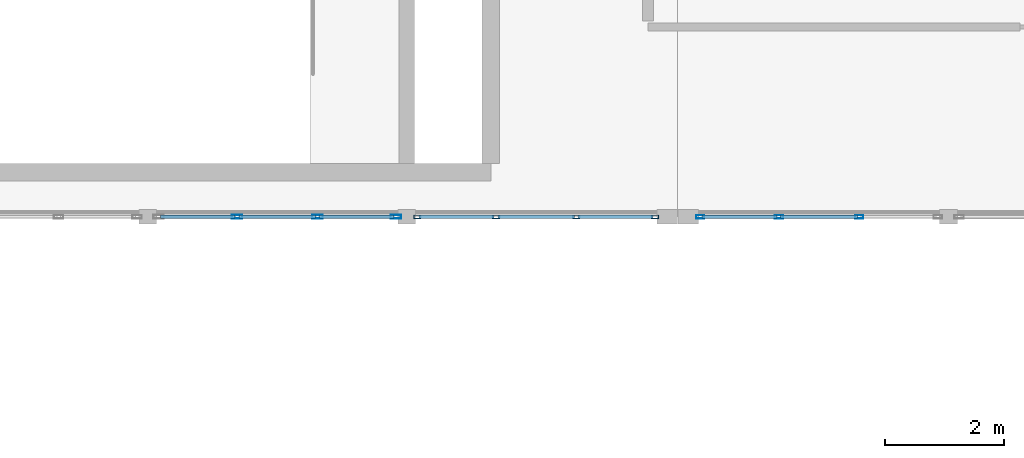
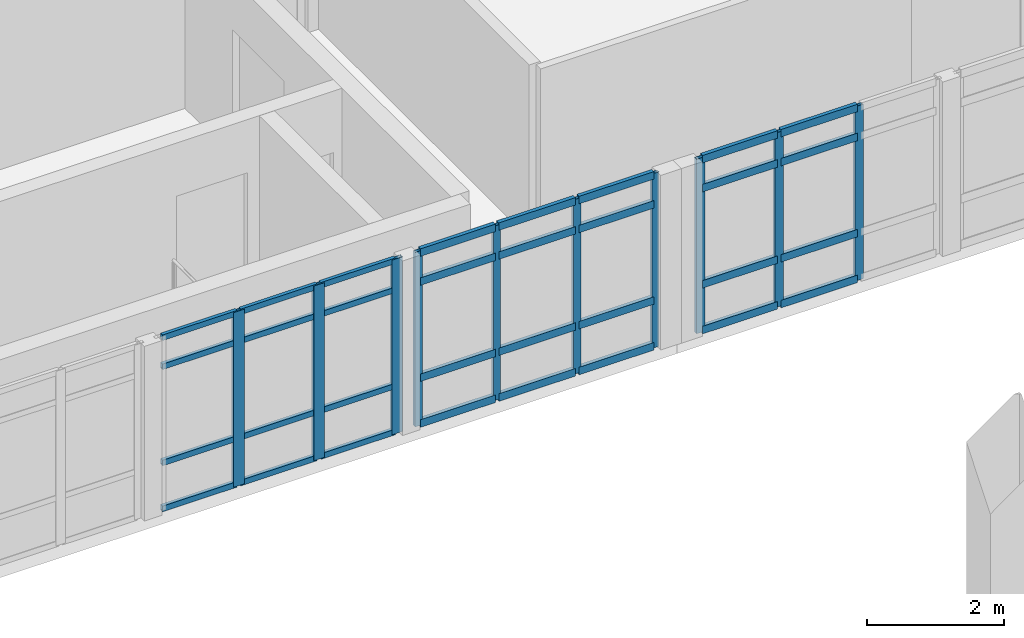
# One storey, part 8 of 37: 42 members, 3 elements without a shape of their own.
"""IFC4 building model written with IfcOpenShell, lengths in metres."""

from ifc_helpers import new_model, si_unit, direction, frame, origin, origin_2d, place, context, subcontext, project, spatial, hollow_rectangle, extrude, material, layer, layer_set, material_profile, profile_set, type_object, element, aggregate, save


model = new_model("IFC4")

# Units and contexts
model_context = context("Model", 3, precision=1e-05, world=origin(), true_north=direction((0.0, 1.0)))
body_context = subcontext(model_context, "Body", "Model", "MODEL_VIEW")
ifc_project = project(units=[si_unit("LENGTHUNIT", "METRE"), si_unit("AREAUNIT", "SQUARE_METRE"), si_unit("VOLUMEUNIT", "CUBIC_METRE"), si_unit("PLANEANGLEUNIT", "RADIAN"), si_unit("MASSUNIT", "GRAM", prefix="KILO")], contexts=[model_context])

# Site, building, storey
site_placement = place(None, origin())
site = spatial("IfcSite", under=ifc_project, at=site_placement, CompositionType="ELEMENT")
building_placement = place(site_placement, origin())
building = spatial("IfcBuilding", under=site, at=building_placement, Name="Fikremerkos Civic Library", CompositionType="ELEMENT")
storey_placement = place(building_placement, frame((0.0, 0.0, 23.39990234375)))
storey = spatial("IfcBuildingStorey", under=building, at=storey_placement, Name="L05", CompositionType="ELEMENT", Elevation=23.39990234375)

# Curtain wall, members
ifc_material = material(Name="Anodized aluminium Frame", Category="aluminium")
ifc_layer_1 = layer(ifc_material, 0.159912109375, Name="Anodized aluminium Frame")
ifc_layer_set_1 = layer_set([ifc_layer_1], Name="Anodized aluminium Frame")
curtain_wall_type_1 = type_object("IfcCurtainWallType", Name="Unitised curtain wall CW-05 3800x4100", PredefinedType="USERDEFINED", material=ifc_layer_set_1)
curtain_wall_1_placement = place(storey_placement, origin())
curtain_wall_1 = element("IfcCurtainWall", 1, at=curtain_wall_1_placement, inside=storey, type_object=curtain_wall_type_1, Name="Unitised curtain wall CW-05 L05 #293", ObjectType="UNITISED CURTAIN WALL", PredefinedType="USERDEFINED")
ifc_material_profile_1 = material_profile(ifc_material, hollow_rectangle(XDim=0.06494140625, YDim=0.179931640625, WallThickness=0.00439453125, at=origin_2d()), Name="ALU 180x65x4.5")
ifc_profile_set_1 = profile_set([ifc_material_profile_1], Name="Anodized aluminium Frame")
member_type_1 = type_object("IfcMemberType", Name="Curtain mullion CWM-01 ALU 180x65x4.5", PredefinedType="MULLION", material=ifc_profile_set_1)
member_1_placement = place(storey_placement, frame((54.9501953125, 21.60009765625, 0.0), z_axis=(0.0, 0.0, 1.0), x_axis=(0.0, -1.0, 0.0)))
member_1 = element("IfcMember", 2, at=member_1_placement, type_object=member_type_1, Name="CW-05 mullion 1", PredefinedType="MULLION", context=body_context, shape_type="SweptSolid", body=[
    extrude(hollow_rectangle(XDim=0.06494140625, YDim=0.179931640625, WallThickness=0.00439453125, at=origin_2d()), origin(), (0.0, 0.0, 1.0), 3.1201171875),
])
member_2_placement = place(storey_placement, frame((53.62744140625, 21.60009765625, 0.0), z_axis=(0.0, 0.0, 1.0), x_axis=(0.0, -1.0, 0.0)))
member_2 = element("IfcMember", 3, at=member_2_placement, type_object=member_type_1, Name="CW-05 mullion 2", PredefinedType="MULLION", context=body_context, shape_type="SweptSolid", body=[
    extrude(hollow_rectangle(XDim=0.06494140625, YDim=0.179931640625, WallThickness=0.00439453125, at=origin_2d()), origin(), (0.0, 0.0, 1.0), 3.1201171875),
])
member_3_placement = place(storey_placement, frame((52.2724609375, 21.60009765625, 0.0), z_axis=(0.0, 0.0, 1.0), x_axis=(0.0, -1.0, 0.0)))
member_3 = element("IfcMember", 4, at=member_3_placement, type_object=member_type_1, Name="CW-05 mullion 3", PredefinedType="MULLION", context=body_context, shape_type="SweptSolid", body=[
    extrude(hollow_rectangle(XDim=0.06494140625, YDim=0.179931640625, WallThickness=0.00439453125, at=origin_2d()), origin(), (0.0, 0.0, 1.0), 3.1201171875),
])

ifc_layer_2 = layer(ifc_material, 0.159912109375, Name="Anodized aluminium Frame")
ifc_layer_set_2 = layer_set([ifc_layer_2], Name="Anodized aluminium Frame")
curtain_wall_type_2 = type_object("IfcCurtainWallType", Name="Unitised curtain wall CW-03 4100x3600", PredefinedType="USERDEFINED", material=ifc_layer_set_2)
curtain_wall_2_placement = place(storey_placement, origin())
curtain_wall_2 = element("IfcCurtainWall", 5, at=curtain_wall_2_placement, inside=storey, type_object=curtain_wall_type_2, Name="Unitised curtain wall CW-03 L05 #291", ObjectType="UNITISED CURTAIN WALL", PredefinedType="USERDEFINED")
ifc_material_profile_2 = material_profile(ifc_material, hollow_rectangle(XDim=0.06005859375, YDim=0.139892578125, WallThickness=0.00390625, at=origin_2d()), Name="ALU 140x60x4")
ifc_profile_set_2 = profile_set([ifc_material_profile_2], Name="Anodized aluminium Frame")
member_type_2 = type_object("IfcMemberType", Name="Curtain mullion CWM-03 ALU 140x60x4", PredefinedType="MULLION", material=ifc_profile_set_2)
member_4_placement = place(storey_placement, frame((62.76220703125, 21.60009765625, 0.0), z_axis=(0.0, 0.0, 1.0), x_axis=(0.0, -1.0, 0.0)))
member_4 = element("IfcMember", 6, at=member_4_placement, type_object=member_type_2, Name="CW-03 mullion 2", PredefinedType="MULLION", context=body_context, shape_type="SweptSolid", body=[
    extrude(hollow_rectangle(XDim=0.06005859375, YDim=0.139892578125, WallThickness=0.00390625, at=origin_2d()), origin(), (0.0, 0.0, 1.0), 3.1201171875),
])
member_5_placement = place(storey_placement, frame((61.4072265625, 21.60009765625, 0.0), z_axis=(0.0, 0.0, 1.0), x_axis=(0.0, -1.0, 0.0)))
member_5 = element("IfcMember", 7, at=member_5_placement, type_object=member_type_2, Name="CW-03 mullion 3", PredefinedType="MULLION", context=body_context, shape_type="SweptSolid", body=[
    extrude(hollow_rectangle(XDim=0.06005859375, YDim=0.139892578125, WallThickness=0.00390625, at=origin_2d()), origin(), (0.0, 0.0, 1.0), 3.1201171875),
])
member_6_placement = place(storey_placement, frame((60.08203125, 21.60009765625, 0.0), z_axis=(0.0, 0.0, 1.0), x_axis=(0.0, -1.0, 0.0)))
member_6 = element("IfcMember", 8, at=member_6_placement, type_object=member_type_2, Name="CW-03 mullion 4", PredefinedType="MULLION", context=body_context, shape_type="SweptSolid", body=[
    extrude(hollow_rectangle(XDim=0.06005859375, YDim=0.139892578125, WallThickness=0.00390625, at=origin_2d()), origin(), (0.0, 0.0, 1.0), 3.1201171875),
])

ifc_layer_3 = layer(ifc_material, 0.159912109375, Name="Anodized aluminium Frame")
ifc_layer_set_3 = layer_set([ifc_layer_3], Name="Anodized aluminium Frame")
curtain_wall_type_3 = type_object("IfcCurtainWallType", Name="Unitised curtain wall CW-04 3400x3600", PredefinedType="USERDEFINED", material=ifc_layer_set_3)
curtain_wall_3_placement = place(storey_placement, origin())
curtain_wall_3 = element("IfcCurtainWall", 9, at=curtain_wall_3_placement, inside=storey, type_object=curtain_wall_type_3, Name="Unitised curtain wall CW-04 L05 #292", ObjectType="UNITISED CURTAIN WALL", PredefinedType="USERDEFINED")
ifc_material_profile_3 = material_profile(ifc_material, hollow_rectangle(XDim=0.06005859375, YDim=0.1201171875, WallThickness=0.00390625, at=origin_2d()), Name="ALU 120x60x4")
ifc_profile_set_3 = profile_set([ifc_material_profile_3], Name="Anodized aluminium Frame")
member_type_3 = type_object("IfcMemberType", Name="Curtain mullion CWM-04 ALU 120x60x4", PredefinedType="MULLION", material=ifc_profile_set_3)
member_7_placement = place(storey_placement, frame((59.318115234375, 21.60009765625, 0.0), z_axis=(0.0, 0.0, 1.0), x_axis=(0.0, -1.0, 0.0)))
member_7 = element("IfcMember", 10, at=member_7_placement, type_object=member_type_3, Name="CW-04 mullion 1", PredefinedType="MULLION", context=body_context, shape_type="SweptSolid", body=[
    extrude(hollow_rectangle(XDim=0.06005859375, YDim=0.1201171875, WallThickness=0.00390625, at=origin_2d()), origin(), (0.0, 0.0, 1.0), 3.1201171875),
])
member_8_placement = place(storey_placement, frame((57.992919921875, 21.60009765625, 0.0), z_axis=(0.0, 0.0, 1.0), x_axis=(0.0, -1.0, 0.0)))
member_8 = element("IfcMember", 11, at=member_8_placement, type_object=member_type_3, Name="CW-04 mullion 2", PredefinedType="MULLION", context=body_context, shape_type="SweptSolid", body=[
    extrude(hollow_rectangle(XDim=0.06005859375, YDim=0.1201171875, WallThickness=0.00390625, at=origin_2d()), origin(), (0.0, 0.0, 1.0), 3.1201171875),
])
member_9_placement = place(storey_placement, frame((56.6376953125, 21.60009765625, 0.0), z_axis=(0.0, 0.0, 1.0), x_axis=(0.0, -1.0, 0.0)))
member_9 = element("IfcMember", 12, at=member_9_placement, type_object=member_type_3, Name="CW-04 mullion 3", PredefinedType="MULLION", context=body_context, shape_type="SweptSolid", body=[
    extrude(hollow_rectangle(XDim=0.06005859375, YDim=0.1201171875, WallThickness=0.00390625, at=origin_2d()), origin(), (0.0, 0.0, 1.0), 3.1201171875),
])
member_10_placement = place(storey_placement, frame((55.312744140625, 21.60009765625, 0.0), z_axis=(0.0, 0.0, 1.0), x_axis=(0.0, -1.0, 0.0)))
member_10 = element("IfcMember", 13, at=member_10_placement, type_object=member_type_3, Name="CW-04 mullion 4", PredefinedType="MULLION", context=body_context, shape_type="SweptSolid", body=[
    extrude(hollow_rectangle(XDim=0.06005859375, YDim=0.1201171875, WallThickness=0.00390625, at=origin_2d()), origin(), (0.0, 0.0, 1.0), 3.1201171875),
])

# Member
ifc_material_profile_4 = material_profile(ifc_material, hollow_rectangle(XDim=0.06494140625, YDim=0.135009765625, WallThickness=0.00439453125, at=origin_2d()), Name="ALU 135x65x4.5")
ifc_profile_set_4 = profile_set([ifc_material_profile_4], Name="Anodized aluminium Frame")
member_type_4 = type_object("IfcMemberType", Name="Curtain transom CWT-02 ALU 135x65x4.5", PredefinedType="USERDEFINED", material=ifc_profile_set_4)
member_11_placement = place(storey_placement, frame((62.732177734375, 21.60009765625, 0.03271484375), z_axis=(-1.0, 0.0, 0.0), x_axis=(0.0, -1.0, 0.0)))
member_11 = element("IfcMember", 14, at=member_11_placement, type_object=member_type_4, Name="CW-03 transom 2.1", ObjectType="TRANSOM", PredefinedType="USERDEFINED", context=body_context, shape_type="SweptSolid", body=[
    extrude(hollow_rectangle(XDim=0.06494140625, YDim=0.135009765625, WallThickness=0.00439453125, at=origin_2d()), origin(), (0.0, 0.0, 1.0), 1.295166015625),
])

member_12_placement = place(storey_placement, frame((62.732177734375, 21.60009765625, 0.85009765625), z_axis=(-1.0, 0.0, 0.0), x_axis=(0.0, -1.0, 0.0)))
member_12 = element("IfcMember", 15, at=member_12_placement, type_object=member_type_4, Name="CW-03 transom 2.2", ObjectType="TRANSOM", PredefinedType="USERDEFINED", context=body_context, shape_type="SweptSolid", body=[
    extrude(hollow_rectangle(XDim=0.06494140625, YDim=0.135009765625, WallThickness=0.00439453125, at=origin_2d()), origin(), (0.0, 0.0, 1.0), 1.295166015625),
])

member_13_placement = place(storey_placement, frame((62.732177734375, 21.60009765625, 2.570068359375), z_axis=(-1.0, 0.0, 0.0), x_axis=(0.0, -1.0, 0.0)))
member_13 = element("IfcMember", 16, at=member_13_placement, type_object=member_type_4, Name="CW-03 transom 2.3", ObjectType="TRANSOM", PredefinedType="USERDEFINED", context=body_context, shape_type="SweptSolid", body=[
    extrude(hollow_rectangle(XDim=0.06494140625, YDim=0.135009765625, WallThickness=0.00439453125, at=origin_2d()), origin(), (0.0, 0.0, 1.0), 1.295166015625),
])

member_14_placement = place(storey_placement, frame((62.732177734375, 21.60009765625, 3.087646484375), z_axis=(-1.0, 0.0, 0.0), x_axis=(0.0, -1.0, 0.0)))
member_14 = element("IfcMember", 17, at=member_14_placement, type_object=member_type_4, Name="CW-03 transom 2.4", ObjectType="TRANSOM", PredefinedType="USERDEFINED", context=body_context, shape_type="SweptSolid", body=[
    extrude(hollow_rectangle(XDim=0.06494140625, YDim=0.135009765625, WallThickness=0.00439453125, at=origin_2d()), origin(), (0.0, 0.0, 1.0), 1.295166015625),
])

member_15_placement = place(storey_placement, frame((61.377197265625, 21.60009765625, 0.03271484375), z_axis=(-1.0, 0.0, 0.0), x_axis=(0.0, -1.0, 0.0)))
member_15 = element("IfcMember", 18, at=member_15_placement, type_object=member_type_4, Name="CW-03 transom 3.1", ObjectType="TRANSOM", PredefinedType="USERDEFINED", context=body_context, shape_type="SweptSolid", body=[
    extrude(hollow_rectangle(XDim=0.06494140625, YDim=0.135009765625, WallThickness=0.00439453125, at=origin_2d()), origin(), (0.0, 0.0, 1.0), 1.26513671875),
])

member_16_placement = place(storey_placement, frame((61.377197265625, 21.60009765625, 0.85009765625), z_axis=(-1.0, 0.0, 0.0), x_axis=(0.0, -1.0, 0.0)))
member_16 = element("IfcMember", 19, at=member_16_placement, type_object=member_type_4, Name="CW-03 transom 3.2", ObjectType="TRANSOM", PredefinedType="USERDEFINED", context=body_context, shape_type="SweptSolid", body=[
    extrude(hollow_rectangle(XDim=0.06494140625, YDim=0.135009765625, WallThickness=0.00439453125, at=origin_2d()), origin(), (0.0, 0.0, 1.0), 1.26513671875),
])

member_17_placement = place(storey_placement, frame((61.377197265625, 21.60009765625, 2.570068359375), z_axis=(-1.0, 0.0, 0.0), x_axis=(0.0, -1.0, 0.0)))
member_17 = element("IfcMember", 20, at=member_17_placement, type_object=member_type_4, Name="CW-03 transom 3.3", ObjectType="TRANSOM", PredefinedType="USERDEFINED", context=body_context, shape_type="SweptSolid", body=[
    extrude(hollow_rectangle(XDim=0.06494140625, YDim=0.135009765625, WallThickness=0.00439453125, at=origin_2d()), origin(), (0.0, 0.0, 1.0), 1.26513671875),
])

member_18_placement = place(storey_placement, frame((61.377197265625, 21.60009765625, 3.087646484375), z_axis=(-1.0, 0.0, 0.0), x_axis=(0.0, -1.0, 0.0)))
member_18 = element("IfcMember", 21, at=member_18_placement, type_object=member_type_4, Name="CW-03 transom 3.4", ObjectType="TRANSOM", PredefinedType="USERDEFINED", context=body_context, shape_type="SweptSolid", body=[
    extrude(hollow_rectangle(XDim=0.06494140625, YDim=0.135009765625, WallThickness=0.00439453125, at=origin_2d()), origin(), (0.0, 0.0, 1.0), 1.26513671875),
])

aggregate(curtain_wall_2, [member_4, member_5, member_6, member_11, member_12, member_13, member_14, member_15, member_16, member_17, member_18])

member_19_placement = place(storey_placement, frame((59.2880859375, 21.60009765625, 0.03271484375), z_axis=(-1.0, 0.0, 0.0), x_axis=(0.0, -1.0, 0.0)))
member_19 = element("IfcMember", 22, at=member_19_placement, type_object=member_type_4, Name="CW-04 transom 1.1", ObjectType="TRANSOM", PredefinedType="USERDEFINED", context=body_context, shape_type="SweptSolid", body=[
    extrude(hollow_rectangle(XDim=0.06494140625, YDim=0.135009765625, WallThickness=0.00439453125, at=origin_2d()), origin(), (0.0, 0.0, 1.0), 1.26513671875),
])

member_20_placement = place(storey_placement, frame((59.2880859375, 21.60009765625, 0.85009765625), z_axis=(-1.0, 0.0, 0.0), x_axis=(0.0, -1.0, 0.0)))
member_20 = element("IfcMember", 23, at=member_20_placement, type_object=member_type_4, Name="CW-04 transom 1.2", ObjectType="TRANSOM", PredefinedType="USERDEFINED", context=body_context, shape_type="SweptSolid", body=[
    extrude(hollow_rectangle(XDim=0.06494140625, YDim=0.135009765625, WallThickness=0.00439453125, at=origin_2d()), origin(), (0.0, 0.0, 1.0), 1.26513671875),
])

member_21_placement = place(storey_placement, frame((59.2880859375, 21.60009765625, 2.570068359375), z_axis=(-1.0, 0.0, 0.0), x_axis=(0.0, -1.0, 0.0)))
member_21 = element("IfcMember", 24, at=member_21_placement, type_object=member_type_4, Name="CW-04 transom 1.3", ObjectType="TRANSOM", PredefinedType="USERDEFINED", context=body_context, shape_type="SweptSolid", body=[
    extrude(hollow_rectangle(XDim=0.06494140625, YDim=0.135009765625, WallThickness=0.00439453125, at=origin_2d()), origin(), (0.0, 0.0, 1.0), 1.26513671875),
])

member_22_placement = place(storey_placement, frame((59.2880859375, 21.60009765625, 3.087646484375), z_axis=(-1.0, 0.0, 0.0), x_axis=(0.0, -1.0, 0.0)))
member_22 = element("IfcMember", 25, at=member_22_placement, type_object=member_type_4, Name="CW-04 transom 1.4", ObjectType="TRANSOM", PredefinedType="USERDEFINED", context=body_context, shape_type="SweptSolid", body=[
    extrude(hollow_rectangle(XDim=0.06494140625, YDim=0.135009765625, WallThickness=0.00439453125, at=origin_2d()), origin(), (0.0, 0.0, 1.0), 1.26513671875),
])

member_23_placement = place(storey_placement, frame((57.962890625, 21.60009765625, 0.03271484375), z_axis=(-1.0, 0.0, 0.0), x_axis=(0.0, -1.0, 0.0)))
member_23 = element("IfcMember", 26, at=member_23_placement, type_object=member_type_4, Name="CW-04 transom 2.1", ObjectType="TRANSOM", PredefinedType="USERDEFINED", context=body_context, shape_type="SweptSolid", body=[
    extrude(hollow_rectangle(XDim=0.06494140625, YDim=0.135009765625, WallThickness=0.00439453125, at=origin_2d()), origin(), (0.0, 0.0, 1.0), 1.295166015625),
])

member_24_placement = place(storey_placement, frame((57.962890625, 21.60009765625, 0.85009765625), z_axis=(-1.0, 0.0, 0.0), x_axis=(0.0, -1.0, 0.0)))
member_24 = element("IfcMember", 27, at=member_24_placement, type_object=member_type_4, Name="CW-04 transom 2.2", ObjectType="TRANSOM", PredefinedType="USERDEFINED", context=body_context, shape_type="SweptSolid", body=[
    extrude(hollow_rectangle(XDim=0.06494140625, YDim=0.135009765625, WallThickness=0.00439453125, at=origin_2d()), origin(), (0.0, 0.0, 1.0), 1.295166015625),
])

member_25_placement = place(storey_placement, frame((57.962890625, 21.60009765625, 2.570068359375), z_axis=(-1.0, 0.0, 0.0), x_axis=(0.0, -1.0, 0.0)))
member_25 = element("IfcMember", 28, at=member_25_placement, type_object=member_type_4, Name="CW-04 transom 2.3", ObjectType="TRANSOM", PredefinedType="USERDEFINED", context=body_context, shape_type="SweptSolid", body=[
    extrude(hollow_rectangle(XDim=0.06494140625, YDim=0.135009765625, WallThickness=0.00439453125, at=origin_2d()), origin(), (0.0, 0.0, 1.0), 1.295166015625),
])

member_26_placement = place(storey_placement, frame((57.962890625, 21.60009765625, 3.087646484375), z_axis=(-1.0, 0.0, 0.0), x_axis=(0.0, -1.0, 0.0)))
member_26 = element("IfcMember", 29, at=member_26_placement, type_object=member_type_4, Name="CW-04 transom 2.4", ObjectType="TRANSOM", PredefinedType="USERDEFINED", context=body_context, shape_type="SweptSolid", body=[
    extrude(hollow_rectangle(XDim=0.06494140625, YDim=0.135009765625, WallThickness=0.00439453125, at=origin_2d()), origin(), (0.0, 0.0, 1.0), 1.295166015625),
])

member_27_placement = place(storey_placement, frame((56.607666015625, 21.60009765625, 0.03271484375), z_axis=(-1.0, 0.0, 0.0), x_axis=(0.0, -1.0, 0.0)))
member_27 = element("IfcMember", 30, at=member_27_placement, type_object=member_type_4, Name="CW-04 transom 3.1", ObjectType="TRANSOM", PredefinedType="USERDEFINED", context=body_context, shape_type="SweptSolid", body=[
    extrude(hollow_rectangle(XDim=0.06494140625, YDim=0.135009765625, WallThickness=0.00439453125, at=origin_2d()), origin(), (0.0, 0.0, 1.0), 1.264892578125),
])

member_28_placement = place(storey_placement, frame((56.607666015625, 21.60009765625, 0.85009765625), z_axis=(-1.0, 0.0, 0.0), x_axis=(0.0, -1.0, 0.0)))
member_28 = element("IfcMember", 31, at=member_28_placement, type_object=member_type_4, Name="CW-04 transom 3.2", ObjectType="TRANSOM", PredefinedType="USERDEFINED", context=body_context, shape_type="SweptSolid", body=[
    extrude(hollow_rectangle(XDim=0.06494140625, YDim=0.135009765625, WallThickness=0.00439453125, at=origin_2d()), origin(), (0.0, 0.0, 1.0), 1.264892578125),
])

member_29_placement = place(storey_placement, frame((56.607666015625, 21.60009765625, 2.570068359375), z_axis=(-1.0, 0.0, 0.0), x_axis=(0.0, -1.0, 0.0)))
member_29 = element("IfcMember", 32, at=member_29_placement, type_object=member_type_4, Name="CW-04 transom 3.3", ObjectType="TRANSOM", PredefinedType="USERDEFINED", context=body_context, shape_type="SweptSolid", body=[
    extrude(hollow_rectangle(XDim=0.06494140625, YDim=0.135009765625, WallThickness=0.00439453125, at=origin_2d()), origin(), (0.0, 0.0, 1.0), 1.264892578125),
])

member_30_placement = place(storey_placement, frame((56.607666015625, 21.60009765625, 3.087646484375), z_axis=(-1.0, 0.0, 0.0), x_axis=(0.0, -1.0, 0.0)))
member_30 = element("IfcMember", 33, at=member_30_placement, type_object=member_type_4, Name="CW-04 transom 3.4", ObjectType="TRANSOM", PredefinedType="USERDEFINED", context=body_context, shape_type="SweptSolid", body=[
    extrude(hollow_rectangle(XDim=0.06494140625, YDim=0.135009765625, WallThickness=0.00439453125, at=origin_2d()), origin(), (0.0, 0.0, 1.0), 1.264892578125),
])

aggregate(curtain_wall_3, [member_7, member_8, member_9, member_10, member_19, member_20, member_21, member_22, member_23, member_24, member_25, member_26, member_27, member_28, member_29, member_30])

ifc_material_profile_5 = material_profile(ifc_material, hollow_rectangle(XDim=0.06005859375, YDim=0.10009765625, WallThickness=0.00390625, at=origin_2d()), Name="ALU 100x60x4")
ifc_profile_set_5 = profile_set([ifc_material_profile_5], Name="Anodized aluminium Frame")
member_type_5 = type_object("IfcMemberType", Name="Curtain transom CWT-03 ALU 100x60x4", PredefinedType="USERDEFINED", material=ifc_profile_set_5)
member_31_placement = place(storey_placement, frame((54.917724609375, 21.60009765625, 0.030029296875), z_axis=(-1.0, 0.0, 0.0), x_axis=(0.0, -1.0, 0.0)))
member_31 = element("IfcMember", 34, at=member_31_placement, type_object=member_type_5, Name="CW-05 transom 1.1", ObjectType="TRANSOM", PredefinedType="USERDEFINED", context=body_context, shape_type="SweptSolid", body=[
    extrude(hollow_rectangle(XDim=0.06005859375, YDim=0.10009765625, WallThickness=0.00390625, at=origin_2d()), origin(), (0.0, 0.0, 1.0), 1.257568359375),
])

member_32_placement = place(storey_placement, frame((54.917724609375, 21.60009765625, 0.85009765625), z_axis=(-1.0, 0.0, 0.0), x_axis=(0.0, -1.0, 0.0)))
member_32 = element("IfcMember", 35, at=member_32_placement, type_object=member_type_5, Name="CW-05 transom 1.2", ObjectType="TRANSOM", PredefinedType="USERDEFINED", context=body_context, shape_type="SweptSolid", body=[
    extrude(hollow_rectangle(XDim=0.06005859375, YDim=0.10009765625, WallThickness=0.00390625, at=origin_2d()), origin(), (0.0, 0.0, 1.0), 1.257568359375),
])

member_33_placement = place(storey_placement, frame((54.917724609375, 21.60009765625, 2.570068359375), z_axis=(-1.0, 0.0, 0.0), x_axis=(0.0, -1.0, 0.0)))
member_33 = element("IfcMember", 36, at=member_33_placement, type_object=member_type_5, Name="CW-05 transom 1.3", ObjectType="TRANSOM", PredefinedType="USERDEFINED", context=body_context, shape_type="SweptSolid", body=[
    extrude(hollow_rectangle(XDim=0.06005859375, YDim=0.10009765625, WallThickness=0.00390625, at=origin_2d()), origin(), (0.0, 0.0, 1.0), 1.257568359375),
])

member_34_placement = place(storey_placement, frame((54.917724609375, 21.60009765625, 3.090087890625), z_axis=(-1.0, 0.0, 0.0), x_axis=(0.0, -1.0, 0.0)))
member_34 = element("IfcMember", 37, at=member_34_placement, type_object=member_type_5, Name="CW-05 transom 1.4", ObjectType="TRANSOM", PredefinedType="USERDEFINED", context=body_context, shape_type="SweptSolid", body=[
    extrude(hollow_rectangle(XDim=0.06005859375, YDim=0.10009765625, WallThickness=0.00390625, at=origin_2d()), origin(), (0.0, 0.0, 1.0), 1.257568359375),
])

member_35_placement = place(storey_placement, frame((53.594970703125, 21.60009765625, 0.030029296875), z_axis=(-1.0, 0.0, 0.0), x_axis=(0.0, -1.0, 0.0)))
member_35 = element("IfcMember", 38, at=member_35_placement, type_object=member_type_5, Name="CW-05 transom 2.1", ObjectType="TRANSOM", PredefinedType="USERDEFINED", context=body_context, shape_type="SweptSolid", body=[
    extrude(hollow_rectangle(XDim=0.06005859375, YDim=0.10009765625, WallThickness=0.00390625, at=origin_2d()), origin(), (0.0, 0.0, 1.0), 1.2900390625),
])

member_36_placement = place(storey_placement, frame((53.594970703125, 21.60009765625, 0.85009765625), z_axis=(-1.0, 0.0, 0.0), x_axis=(0.0, -1.0, 0.0)))
member_36 = element("IfcMember", 39, at=member_36_placement, type_object=member_type_5, Name="CW-05 transom 2.2", ObjectType="TRANSOM", PredefinedType="USERDEFINED", context=body_context, shape_type="SweptSolid", body=[
    extrude(hollow_rectangle(XDim=0.06005859375, YDim=0.10009765625, WallThickness=0.00390625, at=origin_2d()), origin(), (0.0, 0.0, 1.0), 1.2900390625),
])

member_37_placement = place(storey_placement, frame((53.594970703125, 21.60009765625, 2.570068359375), z_axis=(-1.0, 0.0, 0.0), x_axis=(0.0, -1.0, 0.0)))
member_37 = element("IfcMember", 40, at=member_37_placement, type_object=member_type_5, Name="CW-05 transom 2.3", ObjectType="TRANSOM", PredefinedType="USERDEFINED", context=body_context, shape_type="SweptSolid", body=[
    extrude(hollow_rectangle(XDim=0.06005859375, YDim=0.10009765625, WallThickness=0.00390625, at=origin_2d()), origin(), (0.0, 0.0, 1.0), 1.2900390625),
])

member_38_placement = place(storey_placement, frame((53.594970703125, 21.60009765625, 3.090087890625), z_axis=(-1.0, 0.0, 0.0), x_axis=(0.0, -1.0, 0.0)))
member_38 = element("IfcMember", 41, at=member_38_placement, type_object=member_type_5, Name="CW-05 transom 2.4", ObjectType="TRANSOM", PredefinedType="USERDEFINED", context=body_context, shape_type="SweptSolid", body=[
    extrude(hollow_rectangle(XDim=0.06005859375, YDim=0.10009765625, WallThickness=0.00390625, at=origin_2d()), origin(), (0.0, 0.0, 1.0), 1.2900390625),
])

member_39_placement = place(storey_placement, frame((52.239990234375, 21.60009765625, 0.030029296875), z_axis=(-1.0, 0.0, 0.0), x_axis=(0.0, -1.0, 0.0)))
member_39 = element("IfcMember", 42, at=member_39_placement, type_object=member_type_5, Name="CW-05 transom 3.1", ObjectType="TRANSOM", PredefinedType="USERDEFINED", context=body_context, shape_type="SweptSolid", body=[
    extrude(hollow_rectangle(XDim=0.06005859375, YDim=0.10009765625, WallThickness=0.00390625, at=origin_2d()), origin(), (0.0, 0.0, 1.0), 1.257568359375),
])

member_40_placement = place(storey_placement, frame((52.239990234375, 21.60009765625, 0.85009765625), z_axis=(-1.0, 0.0, 0.0), x_axis=(0.0, -1.0, 0.0)))
member_40 = element("IfcMember", 43, at=member_40_placement, type_object=member_type_5, Name="CW-05 transom 3.2", ObjectType="TRANSOM", PredefinedType="USERDEFINED", context=body_context, shape_type="SweptSolid", body=[
    extrude(hollow_rectangle(XDim=0.06005859375, YDim=0.10009765625, WallThickness=0.00390625, at=origin_2d()), origin(), (0.0, 0.0, 1.0), 1.257568359375),
])

member_41_placement = place(storey_placement, frame((52.239990234375, 21.60009765625, 2.570068359375), z_axis=(-1.0, 0.0, 0.0), x_axis=(0.0, -1.0, 0.0)))
member_41 = element("IfcMember", 44, at=member_41_placement, type_object=member_type_5, Name="CW-05 transom 3.3", ObjectType="TRANSOM", PredefinedType="USERDEFINED", context=body_context, shape_type="SweptSolid", body=[
    extrude(hollow_rectangle(XDim=0.06005859375, YDim=0.10009765625, WallThickness=0.00390625, at=origin_2d()), origin(), (0.0, 0.0, 1.0), 1.257568359375),
])

member_42_placement = place(storey_placement, frame((52.239990234375, 21.60009765625, 3.090087890625), z_axis=(-1.0, 0.0, 0.0), x_axis=(0.0, -1.0, 0.0)))
member_42 = element("IfcMember", 45, at=member_42_placement, type_object=member_type_5, Name="CW-05 transom 3.4", ObjectType="TRANSOM", PredefinedType="USERDEFINED", context=body_context, shape_type="SweptSolid", body=[
    extrude(hollow_rectangle(XDim=0.06005859375, YDim=0.10009765625, WallThickness=0.00390625, at=origin_2d()), origin(), (0.0, 0.0, 1.0), 1.257568359375),
])

aggregate(curtain_wall_1, [member_1, member_2, member_3, member_31, member_32, member_33, member_34, member_35, member_36, member_37, member_38, member_39, member_40, member_41, member_42])

save(model, "model.ifc")
